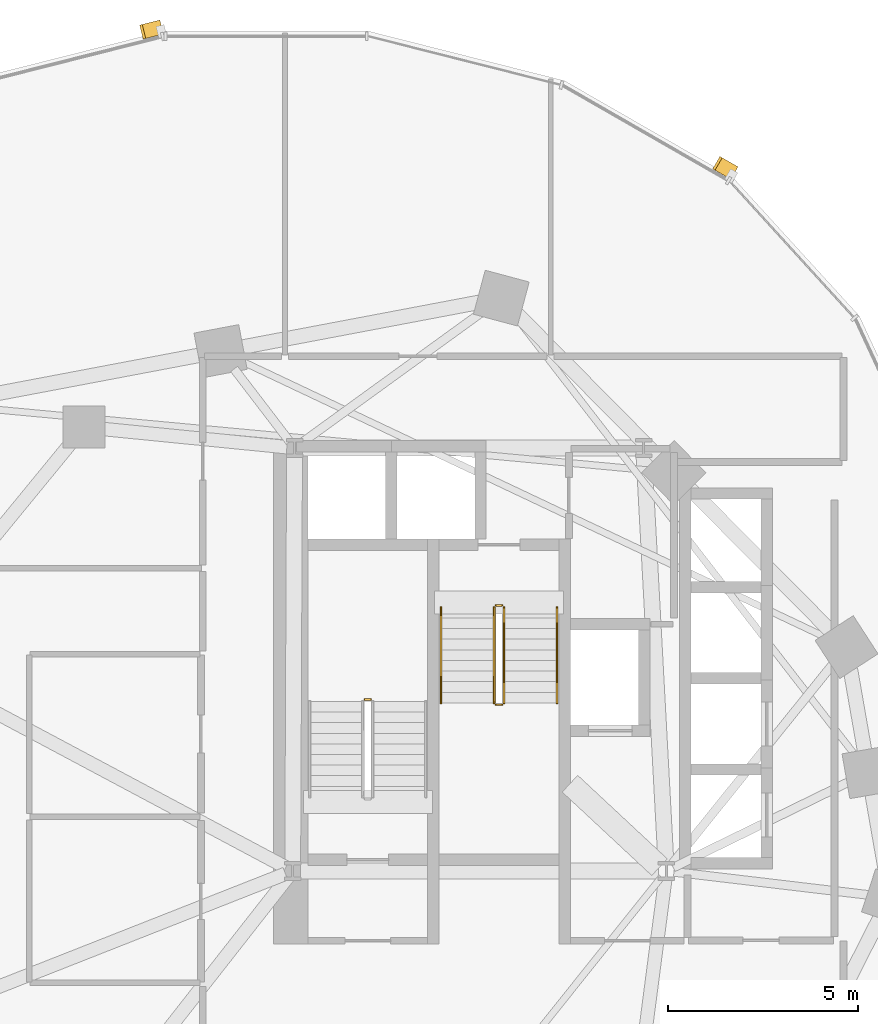
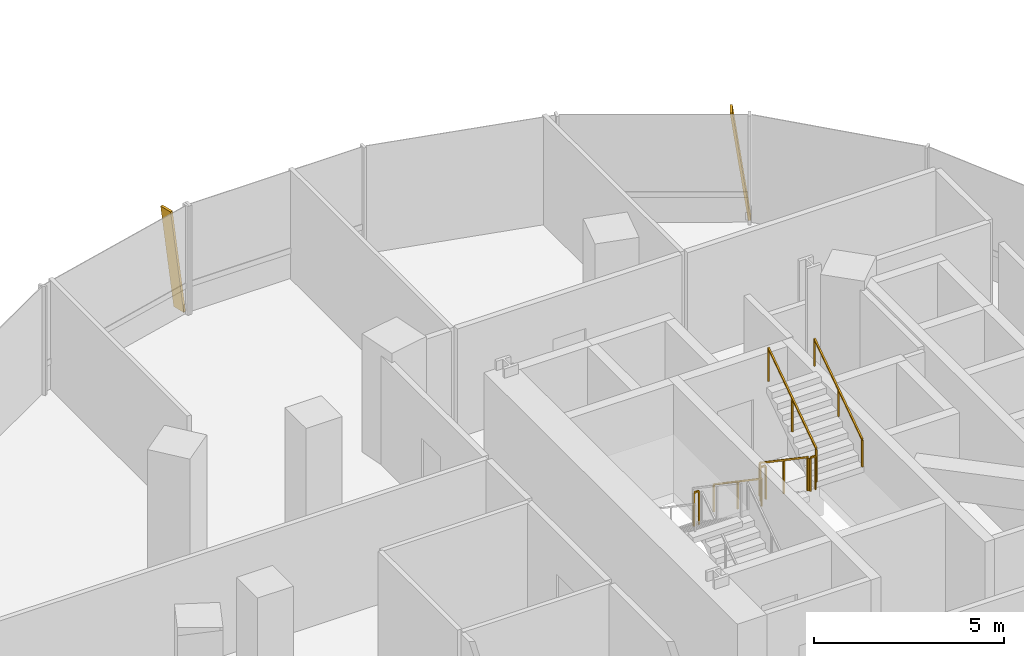
# One storey, part 19 of 21: 7 railings, 2 shading devices.
"""IFC4 building model written with IfcOpenShell, lengths in metres."""

from ifc_helpers import new_model, si_unit, direction, frame, origin, origin_2d, place, context, subcontext, project, spatial, rectangle, extrude, material, material_profile, profile_set, type_object, element, save


model = new_model("IFC4")

# Units and contexts
model_context = context("Model", 3, precision=1e-05, world=origin(), true_north=direction((0.0, 1.0)))
body_context = subcontext(model_context, "Body", "Model", "MODEL_VIEW")
ifc_project = project(units=[si_unit("LENGTHUNIT", "METRE"), si_unit("AREAUNIT", "SQUARE_METRE"), si_unit("VOLUMEUNIT", "CUBIC_METRE"), si_unit("PLANEANGLEUNIT", "RADIAN"), si_unit("MASSUNIT", "GRAM", prefix="KILO"), si_unit("THERMODYNAMICTEMPERATUREUNIT", "KELVIN"), si_unit("POWERUNIT", "WATT")], contexts=[model_context])

# Site, building, storey
site_placement = place(None, origin())
site = spatial("IfcSite", under=ifc_project, at=site_placement, CompositionType="ELEMENT")
building_placement = place(site_placement, origin())
building = spatial("IfcBuilding", under=site, at=building_placement, Name="Cundina Bronze Exchange", CompositionType="ELEMENT")
storey_placement = place(building_placement, frame((0.0, 0.0, 65.800048828125)))
storey = spatial("IfcBuildingStorey", under=building, at=storey_placement, Name="L16", CompositionType="ELEMENT", Elevation=65.800048828125)

# Railings
ifc_material_1 = material(Name="Steel ASTM A36 Painted", Category="steel")
railing_type_1 = type_object("IfcRailingType", Name="RLG-HND-900", PredefinedType="HANDRAIL", material=ifc_material_1)
railing_1_placement = place(storey_placement, frame((-27.389892578125, 10.85009765625, 0.18994140625)))
element("IfcRailing", 1, at=railing_1_placement, inside=storey, type_object=railing_type_1, Name="L16 ST-W2 stair handrail 1", PredefinedType="HANDRAIL", context=body_context, shape_type="SweptSolid", body=[
    extrude(rectangle(XDim=0.048095703125, YDim=0.048095703125, at=origin_2d()), frame((0.0, 0.0, 0.8759765625), z_axis=(0.0, -0.827483756001, 0.561489655786), x_axis=(1.0, 0.0, 0.0)), (0.0, 0.0, 1.0), 3.04541015625),
    extrude(rectangle(XDim=0.0419921875, YDim=0.0419921875, at=origin_2d()), origin(), (0.0, 0.0, 1.0), 0.851806640625),
    extrude(rectangle(XDim=0.0419921875, YDim=0.0419921875, at=origin_2d()), frame((0.0, -1.260009765625, 0.85498046875)), (0.0, 0.0, 1.0), 0.851806640625),
    extrude(rectangle(XDim=0.0419921875, YDim=0.0419921875, at=origin_2d()), frame((0.0, -2.52001953125, 1.7099609375)), (0.0, 0.0, 1.0), 0.851806640625),
])
railing_2_placement = place(storey_placement, frame((-24.330078125, 8.330078125, 2.08984375)))
element("IfcRailing", 2, at=railing_2_placement, inside=storey, type_object=railing_type_1, Name="L16 ST-W2 stair handrail 2", PredefinedType="HANDRAIL", context=body_context, shape_type="SweptSolid", body=[
    extrude(rectangle(XDim=0.048095703125, YDim=0.048095703125, at=origin_2d()), frame((0.0, 0.0, 0.8759765625), z_axis=(0.0, 0.82744650838, 0.561544544778), x_axis=(-1.0, 0.0, 0.0)), (0.0, 0.0, 1.0), 3.045654296875),
    extrude(rectangle(XDim=0.0419921875, YDim=0.0419921875, at=origin_2d()), origin(), (0.0, 0.0, 1.0), 0.851806640625),
    extrude(rectangle(XDim=0.0419921875, YDim=0.0419921875, at=origin_2d()), frame((0.0, 1.260009765625, 0.85498046875)), (0.0, 0.0, 1.0), 0.851806640625),
    extrude(rectangle(XDim=0.0419921875, YDim=0.0419921875, at=origin_2d()), frame((0.0, 2.52001953125, 1.710205078125)), (0.0, 0.0, 1.0), 0.851806640625),
])
railing_type_2 = type_object("IfcRailingType", Name="RLG-STG-1100", PredefinedType="GUARDRAIL", material=ifc_material_1)
railing_3_placement = place(storey_placement, frame((-29.239990234375, 8.419921875, 1.89990234375)))
element("IfcRailing", 3, at=railing_3_placement, inside=storey, type_object=railing_type_2, Name="L16 ST-W1 stair guard 2", PredefinedType="GUARDRAIL", context=body_context, shape_type="SweptSolid", body=[
    extrude(rectangle(XDim=0.048095703125, YDim=0.048095703125, at=origin_2d()), frame((0.0, 0.0, 1.076171875), z_axis=(-1.0, 0.0, 0.0), x_axis=(0.0, -1.0, 0.0)), (0.0, 0.0, 1.0), 0.159912109375),
    extrude(rectangle(XDim=0.0419921875, YDim=0.0419921875, at=origin_2d()), origin(), (0.0, 0.0, 1.0), 1.052001953125),
    extrude(rectangle(XDim=0.0419921875, YDim=0.0419921875, at=origin_2d()), frame((-0.159912109375, 0.0, 0.0)), (0.0, 0.0, 1.0), 1.052001953125),
])
railing_4_placement = place(storey_placement, frame((-25.989990234375, 10.85009765625, 0.18994140625)))
element("IfcRailing", 4, at=railing_4_placement, inside=storey, type_object=railing_type_2, Name="L16 ST-W2 stair guard 1", PredefinedType="GUARDRAIL", context=body_context, shape_type="SweptSolid", body=[
    extrude(rectangle(XDim=0.048095703125, YDim=0.048095703125, at=origin_2d()), frame((0.0, 0.0, 1.076171875), z_axis=(0.0, -0.827483756001, 0.561489655786), x_axis=(1.0, 0.0, 0.0)), (0.0, 0.0, 1.0), 3.04541015625),
    extrude(rectangle(XDim=0.0419921875, YDim=0.0419921875, at=origin_2d()), origin(), (0.0, 0.0, 1.0), 1.052001953125),
    extrude(rectangle(XDim=0.0419921875, YDim=0.0419921875, at=origin_2d()), frame((0.0, -1.260009765625, 0.85498046875)), (0.0, 0.0, 1.0), 1.052001953125),
    extrude(rectangle(XDim=0.0419921875, YDim=0.0419921875, at=origin_2d()), frame((0.0, -2.52001953125, 1.7099609375)), (0.0, 0.0, 1.0), 1.052001953125),
])
railing_5_placement = place(storey_placement, frame((-25.93994140625, 8.280029296875, 1.89990234375)))
element("IfcRailing", 5, at=railing_5_placement, inside=storey, type_object=railing_type_2, Name="L16 ST-W2 stair guard 2", PredefinedType="GUARDRAIL", context=body_context, shape_type="SweptSolid", body=[
    extrude(rectangle(XDim=0.048095703125, YDim=0.048095703125, at=origin_2d()), frame((0.0, 0.0, 1.076171875), z_axis=(1.0, 0.0, 0.0), x_axis=(0.0, 1.0, 0.0)), (0.0, 0.0, 1.0), 0.159912109375),
    extrude(rectangle(XDim=0.0419921875, YDim=0.0419921875, at=origin_2d()), origin(), (0.0, 0.0, 1.0), 1.052001953125),
    extrude(rectangle(XDim=0.0419921875, YDim=0.0419921875, at=origin_2d()), frame((0.159912109375, 0.0, 0.0)), (0.0, 0.0, 1.0), 1.052001953125),
])
railing_6_placement = place(storey_placement, frame((-25.72998046875, 8.330078125, 2.08984375)))
element("IfcRailing", 6, at=railing_6_placement, inside=storey, type_object=railing_type_2, Name="L16 ST-W2 stair guard 3", PredefinedType="GUARDRAIL", context=body_context, shape_type="SweptSolid", body=[
    extrude(rectangle(XDim=0.048095703125, YDim=0.048095703125, at=origin_2d()), frame((0.0, 0.0, 1.076171875), z_axis=(0.0, 0.82744650838, 0.561544544778), x_axis=(-1.0, 0.0, 0.0)), (0.0, 0.0, 1.0), 3.045654296875),
    extrude(rectangle(XDim=0.0419921875, YDim=0.0419921875, at=origin_2d()), origin(), (0.0, 0.0, 1.0), 1.052001953125),
    extrude(rectangle(XDim=0.0419921875, YDim=0.0419921875, at=origin_2d()), frame((0.0, 1.260009765625, 0.85498046875)), (0.0, 0.0, 1.0), 1.052001953125),
    extrude(rectangle(XDim=0.0419921875, YDim=0.0419921875, at=origin_2d()), frame((0.0, 2.52001953125, 1.710205078125)), (0.0, 0.0, 1.0), 1.052001953125),
])
railing_7_placement = place(storey_placement, frame((-25.93994140625, 10.89990234375, 0.0)))
element("IfcRailing", 7, at=railing_7_placement, inside=storey, type_object=railing_type_2, Name="L16 ST-W2 stair guard 4", PredefinedType="GUARDRAIL", context=body_context, shape_type="SweptSolid", body=[
    extrude(rectangle(XDim=0.048095703125, YDim=0.048095703125, at=origin_2d()), frame((0.0, 0.0, 1.076171875), z_axis=(1.0, 0.0, 0.0), x_axis=(0.0, 1.0, 0.0)), (0.0, 0.0, 1.0), 0.159912109375),
    extrude(rectangle(XDim=0.0419921875, YDim=0.0419921875, at=origin_2d()), origin(), (0.0, 0.0, 1.0), 1.052001953125),
    extrude(rectangle(XDim=0.0419921875, YDim=0.0419921875, at=origin_2d()), frame((0.159912109375, 0.0, 0.0)), (0.0, 0.0, 1.0), 1.052001953125),
])

# Shading devices
ifc_material_2 = material(Name="Anodised Bronze Aluminium 6063-T6", Category="aluminium")
ifc_material_profile = material_profile(ifc_material_2, rectangle(XDim=0.070068359375, YDim=0.3798828125, at=origin_2d()), Name="FIN70X380", Category="aluminium")
ifc_profile_set = profile_set([ifc_material_profile], Name="Anodised Bronze Aluminium 6063-T6")
shading_device_type = type_object("IfcShadingDeviceType", Name="SHD-FIN-BRZ380", PredefinedType="USERDEFINED", material=ifc_profile_set)
for number, where, z_axis, x_axis, name in (
    (8, (-19.685791015625, 22.314208984375, 0.02001953125), (-0.119166378275, 0.06842456559, 0.990513731915), (0.85898178632, -0.493221799887, 0.137413779831), "L16 Diagonal Bronze Solar Fin 5"),
    (9, (-34.787353515625, 26.138427734375, 0.02001953125), (-0.133214830938, -0.033688115694, 0.990514472221), (0.960284642503, 0.242842181368, 0.137408443412), "L16 Diagonal Bronze Solar Fin 1"),
):
    element("IfcShadingDevice", number, at=place(storey_placement, frame(where, z_axis=z_axis, x_axis=x_axis)), inside=storey, type_object=shading_device_type, Name=name, ObjectType="FIN", PredefinedType="USERDEFINED", context=body_context, shape_type="SweptSolid", body=[
        extrude(rectangle(XDim=0.070068359375, YDim=0.3798828125, at=origin_2d()), origin(), (0.0, 0.0, 1.0), 3.4931640625),
    ])

save(model, "model.ifc")
